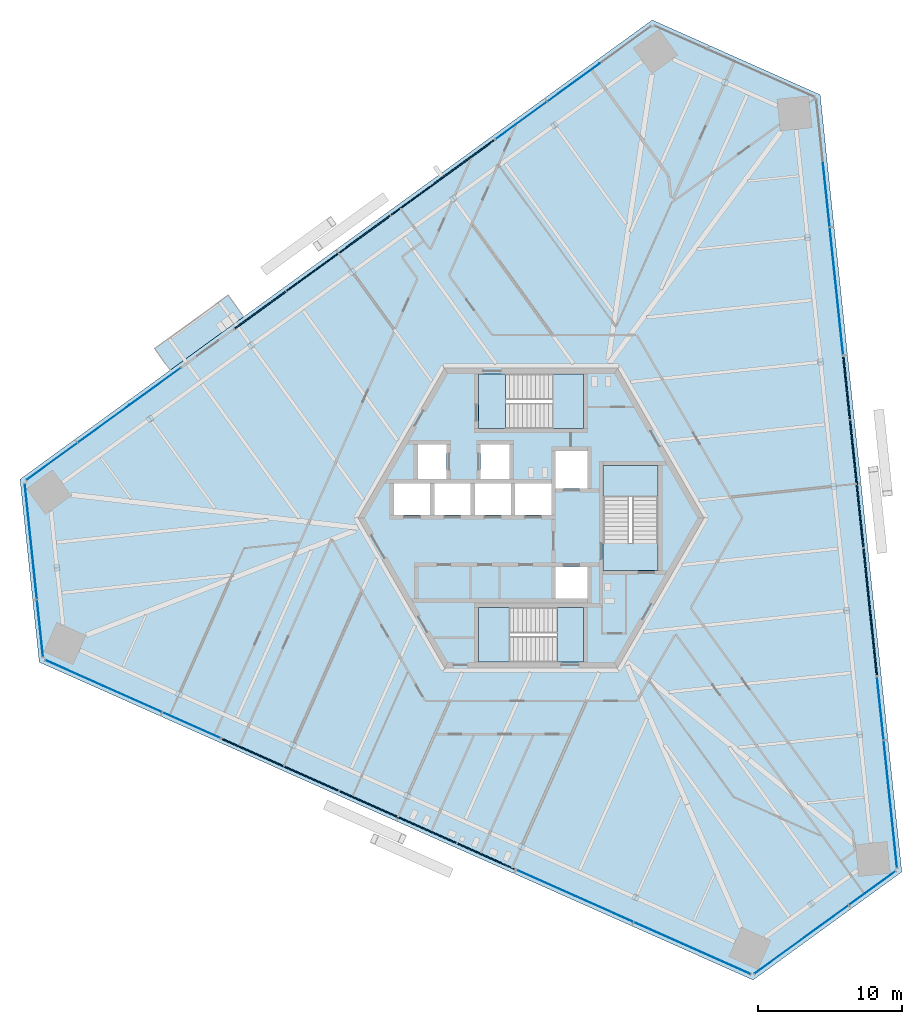
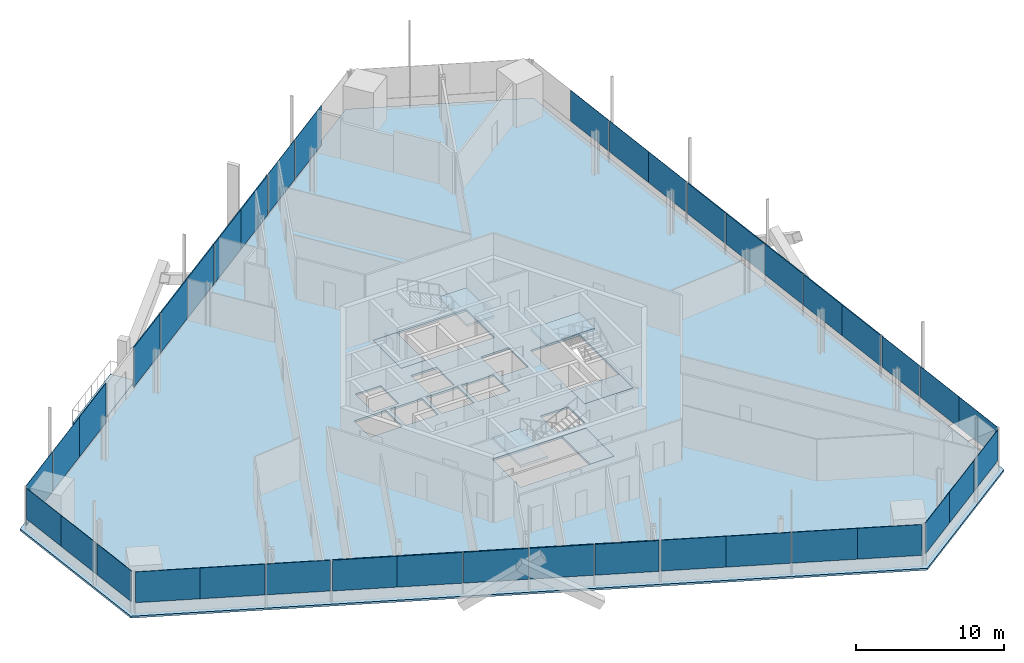
# One storey, part 10 of 21: 39 plates, 8 slabs, 14 elements without a shape of their own.
"""IFC4 building model written with IfcOpenShell, lengths in metres."""

from ifc_helpers import new_model, si_unit, direction, frame, origin, origin_2d, place, context, subcontext, project, spatial, polyline, rectangle, outline, extrude, source, transform, mapped, material, layer, layer_set, type_object, element, aggregate, save


model = new_model("IFC4")

# Units and contexts
model_context = context("Model", 3, precision=1e-05, world=origin(), true_north=direction((0.0, 1.0)))
body_context = subcontext(model_context, "Body", "Model", "MODEL_VIEW")
ifc_project = project(units=[si_unit("LENGTHUNIT", "METRE"), si_unit("AREAUNIT", "SQUARE_METRE"), si_unit("VOLUMEUNIT", "CUBIC_METRE"), si_unit("PLANEANGLEUNIT", "RADIAN"), si_unit("MASSUNIT", "GRAM", prefix="KILO")], contexts=[model_context])

# Site, building, storey
site_placement = place(None, origin())
site = spatial("IfcSite", under=ifc_project, at=site_placement, CompositionType="ELEMENT")
building_placement = place(site_placement, origin())
building = spatial("IfcBuilding", under=site, at=building_placement, Name="Triune Harvest Tower", CompositionType="ELEMENT")
storey_placement = place(building_placement, frame((0.0, 0.0, 72.89990234375)))
storey = spatial("IfcBuildingStorey", under=building, at=storey_placement, Name="L17", CompositionType="ELEMENT", Elevation=72.89990234375)

# Slab
ifc_material_1 = material(Name="Concrete 40 MPa", Category="concrete")
ifc_layer_1 = layer(ifc_material_1, 0.159912109375)
ifc_layer_set_1 = layer_set([ifc_layer_1], Name="Concrete 40 MPa")
slab_type_1 = type_object("IfcSlabType", Name="BA-1 balcony slab 160", PredefinedType="FLOOR", material=ifc_layer_set_1)
slab_1_placement = place(storey_placement, frame((0.0, 0.0, -0.159912109375)))
element("IfcSlab", 1, at=slab_1_placement, inside=storey, type_object=slab_type_1, Name="Balcony slab B2-F3 L17.9", PredefinedType="FLOOR", context=body_context, shape_type="SweptSolid", body=[
    extrude(outline(polyline([(-19.9189453125, 13.954833984375), (-25.01708984375, 10.2509765625), (-26.101318359375, 11.743408203125), (-21.003173828125, 15.447265625), (-19.9189453125, 13.954833984375)])), origin(), (0.0, 0.0, 1.0), 0.159912109375),
])

# Curtain wall, plate
ifc_material_2 = material(Name="Aluminium bronze anodised", Category="aluminium")
curtain_wall_type_1 = type_object("IfcCurtainWallType", Name="CW-6 Balcony window wall", PredefinedType="NOTDEFINED", material=ifc_material_2)
curtain_wall_1_placement = place(storey_placement, origin())
curtain_wall_1 = element("IfcCurtainWall", 2, at=curtain_wall_1_placement, inside=storey, type_object=curtain_wall_type_1, Name="CW-6 B2-F3 L17 run 1")
ifc_material_3 = material(Name="Glass", Category="glass")
ifc_layer_2 = layer(ifc_material_3, 0.030029296875)
ifc_layer_set_2 = layer_set([ifc_layer_2], Name="Glass")
plate_type_1 = type_object("IfcPlateType", Name="GL-6 panel 30", PredefinedType="CURTAIN_PANEL", material=ifc_layer_set_2)
plate_1_placement = place(storey_placement, frame((-0.675048828125, 27.5654296875, 0.150146484375), z_axis=(0.0, 0.0, 1.0), x_axis=(-0.809017285622, -0.587784851425, 0.0)))
plate_1 = element("IfcPlate", 3, at=plate_1_placement, type_object=plate_type_1, Name="CW-6 panel B2-F3 1.3", PredefinedType="CURTAIN_PANEL", context=body_context, shape_type="SweptSolid", body=[
    extrude(rectangle(XDim=4.36181640625, YDim=0.030029296875, at=origin_2d()), origin(), (0.0, 0.0, 1.0), 3.2900390625),
])

ifc_material_4 = material(Name="Aluminium bronze anodised", Category="aluminium")
curtain_wall_type_2 = type_object("IfcCurtainWallType", Name="CW-10 Balcony window wall with insulated spandrel infill", PredefinedType="NOTDEFINED", material=ifc_material_4)
curtain_wall_2_placement = place(storey_placement, origin())
curtain_wall_2 = element("IfcCurtainWall", 4, at=curtain_wall_2_placement, inside=storey, type_object=curtain_wall_type_2, Name="CW-10 B2-F3 L17 run 1001")
ifc_material_5 = material(Name="Insulated spandrel panel, bronze aluminium pan", Category="aluminium")
ifc_layer_3 = layer(ifc_material_5, 0.080078125)
ifc_layer_set_3 = layer_set([ifc_layer_3], Name="Insulated spandrel panel, bronze aluminium pan")
plate_type_2 = type_object("IfcPlateType", Name="SP-1 insulated spandrel panel 80", PredefinedType="CURTAIN_PANEL", material=ifc_layer_set_3)
plate_2_placement = place(storey_placement, frame((-18.774169921875, 14.415771484375, 0.150146484375), z_axis=(0.0, 0.0, 1.0), x_axis=(-0.809016850136, -0.58778545082, 0.0)))
plate_2 = element("IfcPlate", 5, at=plate_2_placement, type_object=plate_type_2, Name="CW-10 panel B2-F3 1001.5", PredefinedType="CURTAIN_PANEL", context=body_context, shape_type="SweptSolid", body=[
    extrude(rectangle(XDim=4.36181640625, YDim=0.080078125, at=origin_2d()), origin(), (0.0, 0.0, 1.0), 3.2900390625),
])

# Slab
ifc_material_6 = material(Name="Concrete 40 MPa", Category="concrete")
ifc_layer_4 = layer(ifc_material_6, 0.159912109375)
ifc_layer_set_4 = layer_set([ifc_layer_4], Name="Concrete 40 MPa")
slab_type_2 = type_object("IfcSlabType", Name="SL-1 Composite floor slab 160", PredefinedType="FLOOR", material=ifc_layer_set_4)
shared_shape_1 = source(origin(), body_context, "Body", "SweptSolid", [
    extrude(outline(polyline([(25.703125, -24.534423828125), (20.04052734375, 29.34228515625), (8.395751953125, 34.526611328125), (-35.431396484375, 2.6845703125), (-34.098876953125, -9.992431640625), (15.390869140625, -32.026611328125), (25.703125, -24.534423828125)]), holes=[polyline([(-7.0, 0.2099609375), (-7.0, 2.409912109375), (-9.5, 2.409912109375), (-9.5, 0.2099609375), (-7.0, 0.2099609375)]), polyline([(-4.199951171875, 0.2099609375), (-4.199951171875, 2.409912109375), (-6.699951171875, 2.409912109375), (-6.699951171875, 0.2099609375), (-4.199951171875, 0.2099609375)]), polyline([(-1.39990234375, 0.2099609375), (-1.39990234375, 2.409912109375), (-3.89990234375, 2.409912109375), (-3.89990234375, 0.2099609375), (-1.39990234375, 0.2099609375)]), polyline([(1.39990234375, 0.2099609375), (1.39990234375, 2.409912109375), (-1.10009765625, 2.409912109375), (-1.10009765625, 0.2099609375), (1.39990234375, 0.2099609375)]), polyline([(3.89990234375, 2.06005859375), (3.89990234375, 4.659912109375), (1.699951171875, 4.659912109375), (1.699951171875, 2.06005859375), (3.89990234375, 2.06005859375)]), polyline([(3.89990234375, -5.590087890625), (3.89990234375, -3.389892578125), (1.699951171875, -3.389892578125), (1.699951171875, -5.590087890625), (3.89990234375, -5.590087890625)]), polyline([(-5.85009765625, 2.7099609375), (-5.85009765625, 5.110107421875), (-7.85009765625, 5.110107421875), (-7.85009765625, 2.7099609375), (-5.85009765625, 2.7099609375)]), polyline([(-1.5, 2.7099609375), (-1.5, 5.110107421875), (-3.5, 5.110107421875), (-3.5, 2.7099609375), (-1.5, 2.7099609375)]), polyline([(3.64990234375, 6.18994140625), (3.64990234375, 9.989990234375), (-3.64990234375, 9.989990234375), (-3.64990234375, 6.18994140625), (3.64990234375, 6.18994140625)]), polyline([(3.64990234375, -9.989990234375), (3.64990234375, -6.18994140625), (-3.64990234375, -6.18994140625), (-3.64990234375, -9.989990234375), (3.64990234375, -9.989990234375)]), polyline([(8.800048828125, -3.64990234375), (8.800048828125, 3.64990234375), (5.0, 3.64990234375), (5.0, -3.64990234375), (8.800048828125, -3.64990234375)])]), origin(), (0.0, 0.0, 1.0), 0.159912109375),
])
slab_2_placement = place(storey_placement, frame((0.0, 0.0, -0.159912109375)))
element("IfcSlab", 6, at=slab_2_placement, inside=storey, type_object=slab_type_2, Name="slab/L17/1", PredefinedType="FLOOR", context=body_context, shape_type="MappedRepresentation", body=[
    mapped(shared_shape_1, transform((0.0, 0.0, 0.0), scale=1.0)),
])

# Stair, slabs
ifc_material_7 = material(Name="Concrete 40 MPa", Category="concrete")
stair_type = type_object("IfcStairType", Name="Exit stair 1800 half turn", PredefinedType="HALF_TURN_STAIR", material=ifc_material_7)
stair_1_placement = place(storey_placement, origin())
stair_1 = element("IfcStair", 7, at=stair_1_placement, inside=storey, type_object=stair_type, Name="Exit stair north", PredefinedType="HALF_TURN_STAIR")
ifc_material_8 = material(Name="Concrete 40 MPa", Category="concrete")
ifc_layer_5 = layer(ifc_material_8, 0.199951171875)
ifc_layer_set_5 = layer_set([ifc_layer_5], Name="Concrete 40 MPa")
slab_type_3 = type_object("IfcSlabType", Name="Stair landing 200", PredefinedType="LANDING", material=ifc_layer_set_5)
shared_shape_2 = source(origin(), body_context, "Body", "SweptSolid", [
    extrude(outline(polyline([(1.510009765625, 6.18994140625), (3.64990234375, 6.18994140625), (3.64990234375, 9.989990234375), (1.510009765625, 9.989990234375), (1.510009765625, 6.18994140625)])), origin(), (0.0, 0.0, 1.0), 0.199951171875),
])
slab_3_placement = place(storey_placement, frame((0.0, 0.0, 1.60009765625)))
slab_3 = element("IfcSlab", 8, at=slab_3_placement, type_object=slab_type_3, Name="ST-1 landing 2", PredefinedType="LANDING", context=body_context, shape_type="MappedRepresentation", body=[
    mapped(shared_shape_2, transform((0.0, 0.0, 0.0), scale=1.0)),
])
shared_shape_3 = source(origin(), body_context, "Body", "SweptSolid", [
    extrude(outline(polyline([(-3.64990234375, 6.18994140625), (-1.780029296875, 6.18994140625), (-1.780029296875, 9.989990234375), (-3.64990234375, 9.989990234375), (-3.64990234375, 6.18994140625)])), origin(), (0.0, 0.0, 1.0), 0.199951171875),
])
slab_4_placement = place(storey_placement, frame((0.0, 0.0, -0.199951171875)))
slab_4 = element("IfcSlab", 9, at=slab_4_placement, type_object=slab_type_3, Name="ST-1 landing 1", PredefinedType="LANDING", context=body_context, shape_type="MappedRepresentation", body=[
    mapped(shared_shape_3, transform((0.0, 0.0, 0.0), scale=1.0)),
])
aggregate(stair_1, [slab_4, slab_3])

stair_2_placement = place(storey_placement, origin())
stair_2 = element("IfcStair", 10, at=stair_2_placement, inside=storey, type_object=stair_type, Name="Exit stair south", PredefinedType="HALF_TURN_STAIR")
shared_shape_4 = source(origin(), body_context, "Body", "SweptSolid", [
    extrude(outline(polyline([(-1.510009765625, -6.18994140625), (-3.64990234375, -6.18994140625), (-3.64990234375, -9.989990234375), (-1.510009765625, -9.989990234375), (-1.510009765625, -6.18994140625)])), origin(), (0.0, 0.0, 1.0), 0.199951171875),
])
slab_5_placement = place(storey_placement, frame((0.0, 0.0, 1.60009765625)))
slab_5 = element("IfcSlab", 11, at=slab_5_placement, type_object=slab_type_3, Name="ST-2 landing 2", PredefinedType="LANDING", context=body_context, shape_type="MappedRepresentation", body=[
    mapped(shared_shape_4, transform((0.0, 0.0, 0.0), scale=1.0)),
])
shared_shape_5 = source(origin(), body_context, "Body", "SweptSolid", [
    extrude(outline(polyline([(3.64990234375, -6.18994140625), (1.780029296875, -6.18994140625), (1.780029296875, -9.989990234375), (3.64990234375, -9.989990234375), (3.64990234375, -6.18994140625)])), origin(), (0.0, 0.0, 1.0), 0.199951171875),
])
slab_6_placement = place(storey_placement, frame((0.0, 0.0, -0.199951171875)))
slab_6 = element("IfcSlab", 12, at=slab_6_placement, type_object=slab_type_3, Name="ST-2 landing 1", PredefinedType="LANDING", context=body_context, shape_type="MappedRepresentation", body=[
    mapped(shared_shape_5, transform((0.0, 0.0, 0.0), scale=1.0)),
])
aggregate(stair_2, [slab_6, slab_5])

stair_3_placement = place(storey_placement, origin())
stair_3 = element("IfcStair", 13, at=stair_3_placement, inside=storey, type_object=stair_type, Name="Exit stair east", PredefinedType="HALF_TURN_STAIR")
shared_shape_6 = source(origin(), body_context, "Body", "SweptSolid", [
    extrude(outline(polyline([(8.800048828125, 1.510009765625), (8.800048828125, 3.64990234375), (5.0, 3.64990234375), (5.0, 1.510009765625), (8.800048828125, 1.510009765625)])), origin(), (0.0, 0.0, 1.0), 0.199951171875),
])
slab_7_placement = place(storey_placement, frame((0.0, 0.0, 1.60009765625)))
slab_7 = element("IfcSlab", 14, at=slab_7_placement, type_object=slab_type_3, Name="ST-3 landing 2", PredefinedType="LANDING", context=body_context, shape_type="MappedRepresentation", body=[
    mapped(shared_shape_6, transform((0.0, 0.0, 0.0), scale=1.0)),
])
shared_shape_7 = source(origin(), body_context, "Body", "SweptSolid", [
    extrude(outline(polyline([(8.800048828125, -3.64990234375), (8.800048828125, -1.780029296875), (5.0, -1.780029296875), (5.0, -3.64990234375), (8.800048828125, -3.64990234375)])), origin(), (0.0, 0.0, 1.0), 0.199951171875),
])
slab_8_placement = place(storey_placement, frame((0.0, 0.0, -0.199951171875)))
slab_8 = element("IfcSlab", 15, at=slab_8_placement, type_object=slab_type_3, Name="ST-3 landing 1", PredefinedType="LANDING", context=body_context, shape_type="MappedRepresentation", body=[
    mapped(shared_shape_7, transform((0.0, 0.0, 0.0), scale=1.0)),
])
aggregate(stair_3, [slab_8, slab_7])

# Curtain wall, plates
ifc_material_9 = material(Name="Aluminium bronze anodised", Category="aluminium")
curtain_wall_type_3 = type_object("IfcCurtainWallType", Name="CW-1 Tower stick curtain wall", PredefinedType="NOTDEFINED", material=ifc_material_9)
curtain_wall_3_placement = place(storey_placement, origin())
curtain_wall_3 = element("IfcCurtainWall", 16, at=curtain_wall_3_placement, inside=storey, type_object=curtain_wall_type_3, Name="CW-1 B2-F4 L17 run 1")
ifc_material_10 = material(Name="Glass", Category="glass")
ifc_layer_6 = layer(ifc_material_10, 0.031982421875)
ifc_layer_set_6 = layer_set([ifc_layer_6], Name="Glass")
plate_type_3 = type_object("IfcPlateType", Name="GL-1 panel 32", PredefinedType="CURTAIN_PANEL", material=ifc_layer_set_6)
shared_shape_8 = source(origin(), body_context, "Body", "SweptSolid", [
    extrude(rectangle(XDim=3.99853515625, YDim=0.031982421875, at=origin_2d()), origin(), (0.0, 0.0, 1.0), 2.5400390625),
])
plate_3_placement = place(storey_placement, frame((-34.888671875, 0.39111328125, 0.900146484375), z_axis=(0.0, 0.0, 1.0), x_axis=(0.104529462601, -0.994521790334, 0.0)))
plate_3 = element("IfcPlate", 17, at=plate_3_placement, type_object=plate_type_3, Name="CW-1 panel B2-F4 1.1", PredefinedType="CURTAIN_PANEL", context=body_context, shape_type="MappedRepresentation", body=[
    mapped(shared_shape_8, transform((0.0, 0.0, 0.0), scale=1.0)),
])
shared_shape_9 = source(origin(), body_context, "Body", "SweptSolid", [
    extrude(rectangle(XDim=4.035888671875, YDim=0.031982421875, at=origin_2d()), origin(), (0.0, 0.0, 1.0), 2.5400390625),
])
plate_4_placement = place(storey_placement, frame((-34.46875, -3.60400390625, 0.900146484375), z_axis=(0.0, 0.0, 1.0), x_axis=(0.104529462601, -0.994521790334, 0.0)))
plate_4 = element("IfcPlate", 18, at=plate_4_placement, type_object=plate_type_3, Name="CW-1 panel B2-F4 1.2", PredefinedType="CURTAIN_PANEL", context=body_context, shape_type="MappedRepresentation", body=[
    mapped(shared_shape_9, transform((0.0, 0.0, 0.0), scale=1.0)),
])

# Curtain wall, plate
curtain_wall_4_placement = place(storey_placement, origin())
curtain_wall_4 = element("IfcCurtainWall", 19, at=curtain_wall_4_placement, inside=storey, type_object=curtain_wall_type_3, Name="CW-1 B2-F6 L17 run 1")
plate_5_placement = place(storey_placement, frame((20.35546875, -28.048828125, 0.900146484375), z_axis=(0.0, 0.0, 1.0), x_axis=(0.809013235692, 0.58779042564, 0.0)))
plate_5 = element("IfcPlate", 20, at=plate_5_placement, type_object=plate_type_3, Name="CW-1 panel B2-F6 1.2", PredefinedType="CURTAIN_PANEL", context=body_context, shape_type="MappedRepresentation", body=[
    mapped(shared_shape_9, transform((0.0, 0.0, 0.0), scale=1.0)),
])

# Plate
shared_shape_10 = source(origin(), body_context, "Body", "SweptSolid", [
    extrude(rectangle(XDim=3.9609375, YDim=0.031982421875, at=origin_2d()), origin(), (0.0, 0.0, 1.0), 2.5400390625),
])
plate_6_placement = place(storey_placement, frame((-34.04296875, -7.655029296875, 0.900146484375), z_axis=(0.0, 0.0, 1.0), x_axis=(0.104529462601, -0.994521790334, 0.0)))
plate_6 = element("IfcPlate", 21, at=plate_6_placement, type_object=plate_type_3, Name="CW-1 panel B2-F4 1.3", PredefinedType="CURTAIN_PANEL", context=body_context, shape_type="MappedRepresentation", body=[
    mapped(shared_shape_10, transform((0.0, 0.0, 0.0), scale=1.0)),
])

aggregate(curtain_wall_3, [plate_3, plate_4, plate_6])

plate_7_placement = place(storey_placement, frame((23.65087890625, -25.654541015625, 0.900146484375), z_axis=(0.0, 0.0, 1.0), x_axis=(0.809013235692, 0.58779042564, 0.0)))
plate_7 = element("IfcPlate", 22, at=plate_7_placement, type_object=plate_type_3, Name="CW-1 panel B2-F6 1.3", PredefinedType="CURTAIN_PANEL", context=body_context, shape_type="MappedRepresentation", body=[
    mapped(shared_shape_10, transform((0.0, 0.0, 0.0), scale=1.0)),
])

shared_shape_11 = source(origin(), body_context, "Body", "SweptSolid", [
    extrude(rectangle(XDim=3.998291015625, YDim=0.031982421875, at=origin_2d()), origin(), (0.0, 0.0, 1.0), 2.5400390625),
])
plate_8_placement = place(storey_placement, frame((17.10546875, -30.41015625, 0.900146484375), z_axis=(0.0, 0.0, 1.0), x_axis=(0.809013235692, 0.58779042564, 0.0)))
plate_8 = element("IfcPlate", 23, at=plate_8_placement, type_object=plate_type_3, Name="CW-1 panel B2-F6 1.1", PredefinedType="CURTAIN_PANEL", context=body_context, shape_type="MappedRepresentation", body=[
    mapped(shared_shape_11, transform((0.0, 0.0, 0.0), scale=1.0)),
])

aggregate(curtain_wall_4, [plate_8, plate_5, plate_7])

shared_shape_12 = source(origin(), body_context, "Body", "SweptSolid", [
    extrude(rectangle(XDim=4.436767578125, YDim=0.030029296875, at=origin_2d()), origin(), (0.0, 0.0, 1.0), 3.2900390625),
])
plate_9_placement = place(storey_placement, frame((2.944580078125, 30.1953125, 0.150146484375), z_axis=(0.0, 0.0, 1.0), x_axis=(-0.809017285622, -0.587784851425, 0.0)))
plate_9 = element("IfcPlate", 24, at=plate_9_placement, type_object=plate_type_1, Name="CW-6 panel B2-F3 1.2", PredefinedType="CURTAIN_PANEL", context=body_context, shape_type="MappedRepresentation", body=[
    mapped(shared_shape_12, transform((0.0, 0.0, 0.0), scale=1.0)),
])

aggregate(curtain_wall_1, [plate_9, plate_1])

# Curtain wall, plate
ifc_material_11 = material(Name="Aluminium bronze anodised", Category="aluminium")
curtain_wall_type_4 = type_object("IfcCurtainWallType", Name="CW-7 Tower stick curtain wall with insulated spandrel infill", PredefinedType="NOTDEFINED", material=ifc_material_11)
curtain_wall_5_placement = place(storey_placement, origin())
curtain_wall_5 = element("IfcCurtainWall", 25, at=curtain_wall_5_placement, inside=storey, type_object=curtain_wall_type_4, Name="CW-7 B2-F1 L17 run 1001")
shared_shape_13 = source(origin(), body_context, "Body", "SweptSolid", [
    extrude(rectangle(XDim=4.3955078125, YDim=0.080078125, at=origin_2d()), origin(), (0.0, 0.0, 1.0), 2.5400390625),
])
plate_10_placement = place(storey_placement, frame((23.73779296875, -8.705322265625, 0.900146484375), z_axis=(0.0, 0.0, 1.0), x_axis=(-0.10452805656, 0.994521938115, 0.0)))
plate_10 = element("IfcPlate", 26, at=plate_10_placement, type_object=plate_type_2, Name="CW-7 panel B2-F1 1001.1", PredefinedType="CURTAIN_PANEL", context=body_context, shape_type="MappedRepresentation", body=[
    mapped(shared_shape_13, transform((0.0, 0.0, 0.0), scale=1.0)),
])

curtain_wall_6_placement = place(storey_placement, origin())
curtain_wall_6 = element("IfcCurtainWall", 27, at=curtain_wall_6_placement, inside=storey, type_object=curtain_wall_type_4, Name="CW-7 B2-F5 L17 run 1001")
plate_11_placement = place(storey_placement, frame((-19.407958984375, -16.204833984375, 0.900146484375), z_axis=(0.0, 0.0, 1.0), x_axis=(0.91354625298, -0.406734856715, 0.0)))
plate_11 = element("IfcPlate", 28, at=plate_11_placement, type_object=plate_type_2, Name="CW-7 panel B2-F5 1001.1", PredefinedType="CURTAIN_PANEL", context=body_context, shape_type="MappedRepresentation", body=[
    mapped(shared_shape_13, transform((0.0, 0.0, 0.0), scale=1.0)),
])

# Plate
shared_shape_14 = source(origin(), body_context, "Body", "SweptSolid", [
    extrude(rectangle(XDim=4.43310546875, YDim=0.080078125, at=origin_2d()), origin(), (0.0, 0.0, 1.0), 2.5400390625),
])
plate_12_placement = place(storey_placement, frame((23.2763671875, -4.315185546875, 0.900146484375), z_axis=(0.0, 0.0, 1.0), x_axis=(-0.10452805656, 0.994521938115, 0.0)))
plate_12 = element("IfcPlate", 29, at=plate_12_placement, type_object=plate_type_2, Name="CW-7 panel B2-F1 1001.2", PredefinedType="CURTAIN_PANEL", context=body_context, shape_type="MappedRepresentation", body=[
    mapped(shared_shape_14, transform((0.0, 0.0, 0.0), scale=1.0)),
])

plate_13_placement = place(storey_placement, frame((22.80517578125, 0.168212890625, 0.900146484375), z_axis=(0.0, 0.0, 1.0), x_axis=(-0.10452805656, 0.994521938115, 0.0)))
plate_13 = element("IfcPlate", 30, at=plate_13_placement, type_object=plate_type_2, Name="CW-7 panel B2-F1 1001.3", PredefinedType="CURTAIN_PANEL", context=body_context, shape_type="MappedRepresentation", body=[
    mapped(shared_shape_14, transform((0.0, 0.0, 0.0), scale=1.0)),
])

plate_14_placement = place(storey_placement, frame((22.341796875, 4.576904296875, 0.900146484375), z_axis=(0.0, 0.0, 1.0), x_axis=(-0.10452805656, 0.994521938115, 0.0)))
plate_14 = element("IfcPlate", 31, at=plate_14_placement, type_object=plate_type_2, Name="CW-7 panel B2-F1 1001.4", PredefinedType="CURTAIN_PANEL", context=body_context, shape_type="MappedRepresentation", body=[
    mapped(shared_shape_14, transform((0.0, 0.0, 0.0), scale=1.0)),
])

plate_15_placement = place(storey_placement, frame((-15.375244140625, -18.00048828125, 0.900146484375), z_axis=(0.0, 0.0, 1.0), x_axis=(0.91354625298, -0.406734856715, 0.0)))
plate_15 = element("IfcPlate", 32, at=plate_15_placement, type_object=plate_type_2, Name="CW-7 panel B2-F5 1001.2", PredefinedType="CURTAIN_PANEL", context=body_context, shape_type="MappedRepresentation", body=[
    mapped(shared_shape_14, transform((0.0, 0.0, 0.0), scale=1.0)),
])

plate_16_placement = place(storey_placement, frame((-11.2568359375, -19.833984375, 0.900146484375), z_axis=(0.0, 0.0, 1.0), x_axis=(0.91354625298, -0.406734856715, 0.0)))
plate_16 = element("IfcPlate", 33, at=plate_16_placement, type_object=plate_type_2, Name="CW-7 panel B2-F5 1001.3", PredefinedType="CURTAIN_PANEL", context=body_context, shape_type="MappedRepresentation", body=[
    mapped(shared_shape_14, transform((0.0, 0.0, 0.0), scale=1.0)),
])

plate_17_placement = place(storey_placement, frame((-7.20703125, -21.636962890625, 0.900146484375), z_axis=(0.0, 0.0, 1.0), x_axis=(0.91354625298, -0.406734856715, 0.0)))
plate_17 = element("IfcPlate", 34, at=plate_17_placement, type_object=plate_type_2, Name="CW-7 panel B2-F5 1001.4", PredefinedType="CURTAIN_PANEL", context=body_context, shape_type="MappedRepresentation", body=[
    mapped(shared_shape_14, transform((0.0, 0.0, 0.0), scale=1.0)),
])

# Curtain wall, plate
curtain_wall_7_placement = place(storey_placement, origin())
curtain_wall_7 = element("IfcCurtainWall", 35, at=curtain_wall_7_placement, inside=storey, type_object=curtain_wall_type_3, Name="CW-1 B2-F1 L17 run 1")
shared_shape_15 = source(origin(), body_context, "Body", "SweptSolid", [
    extrude(rectangle(XDim=4.3955078125, YDim=0.031982421875, at=origin_2d()), origin(), (0.0, 0.0, 1.0), 2.5400390625),
])
plate_18_placement = place(storey_placement, frame((25.1396484375, -22.043701171875, 0.900146484375), z_axis=(0.0, 0.0, 1.0), x_axis=(-0.104527094094, 0.994522039273, 0.0)))
plate_18 = element("IfcPlate", 36, at=plate_18_placement, type_object=plate_type_3, Name="CW-1 panel B2-F1 1.1", PredefinedType="CURTAIN_PANEL", context=body_context, shape_type="MappedRepresentation", body=[
    mapped(shared_shape_15, transform((0.0, 0.0, 0.0), scale=1.0)),
])

curtain_wall_8_placement = place(storey_placement, origin())
curtain_wall_8 = element("IfcCurtainWall", 37, at=curtain_wall_8_placement, inside=storey, type_object=curtain_wall_type_3, Name="CW-1 B2-F1 L17 run 2001")
plate_19_placement = place(storey_placement, frame((21.401123046875, 13.525146484375, 0.900146484375), z_axis=(0.0, 0.0, 1.0), x_axis=(-0.104527218444, 0.994522026204, 0.0)))
plate_19 = element("IfcPlate", 38, at=plate_19_placement, type_object=plate_type_3, Name="CW-1 panel B2-F1 2001.1", PredefinedType="CURTAIN_PANEL", context=body_context, shape_type="MappedRepresentation", body=[
    mapped(shared_shape_15, transform((0.0, 0.0, 0.0), scale=1.0)),
])

curtain_wall_9_placement = place(storey_placement, origin())
curtain_wall_9 = element("IfcCurtainWall", 39, at=curtain_wall_9_placement, inside=storey, type_object=curtain_wall_type_3, Name="CW-1 B2-F5 L17 run 1")
plate_20_placement = place(storey_placement, frame((-31.66015625, -10.749755859375, 0.900146484375), z_axis=(0.0, 0.0, 1.0), x_axis=(0.913543483834, -0.406741076293, 0.0)))
plate_20 = element("IfcPlate", 40, at=plate_20_placement, type_object=plate_type_3, Name="CW-1 panel B2-F5 1.1", PredefinedType="CURTAIN_PANEL", context=body_context, shape_type="MappedRepresentation", body=[
    mapped(shared_shape_15, transform((0.0, 0.0, 0.0), scale=1.0)),
])

# Curtain wall, plates
curtain_wall_10_placement = place(storey_placement, origin())
curtain_wall_10 = element("IfcCurtainWall", 41, at=curtain_wall_10_placement, inside=storey, type_object=curtain_wall_type_3, Name="CW-1 B2-F5 L17 run 2001")
plate_21_placement = place(storey_placement, frame((1.012451171875, -25.296630859375, 0.900146484375), z_axis=(0.0, 0.0, 1.0), x_axis=(0.913545192307, -0.406737239029, 0.0)))
plate_21 = element("IfcPlate", 42, at=plate_21_placement, type_object=plate_type_3, Name="CW-1 panel B2-F5 2001.1", PredefinedType="CURTAIN_PANEL", context=body_context, shape_type="MappedRepresentation", body=[
    mapped(shared_shape_15, transform((0.0, 0.0, 0.0), scale=1.0)),
])
plate_22_placement = place(storey_placement, frame((13.1962890625, -30.72119140625, 0.900146484375), z_axis=(0.0, 0.0, 1.0), x_axis=(0.913545192307, -0.406737239029, 0.0)))
plate_22 = element("IfcPlate", 43, at=plate_22_placement, type_object=plate_type_3, Name="CW-1 panel B2-F5 2001.4", PredefinedType="CURTAIN_PANEL", context=body_context, shape_type="MappedRepresentation", body=[
    mapped(shared_shape_15, transform((0.0, 0.0, 0.0), scale=1.0)),
])

# Plate
shared_shape_16 = source(origin(), body_context, "Body", "SweptSolid", [
    extrude(rectangle(XDim=4.43310546875, YDim=0.031982421875, at=origin_2d()), origin(), (0.0, 0.0, 1.0), 2.5400390625),
])
plate_23_placement = place(storey_placement, frame((24.67822265625, -17.653564453125, 0.900146484375), z_axis=(0.0, 0.0, 1.0), x_axis=(-0.104527094094, 0.994522039273, 0.0)))
plate_23 = element("IfcPlate", 44, at=plate_23_placement, type_object=plate_type_3, Name="CW-1 panel B2-F1 1.2", PredefinedType="CURTAIN_PANEL", context=body_context, shape_type="MappedRepresentation", body=[
    mapped(shared_shape_16, transform((0.0, 0.0, 0.0), scale=1.0)),
])

plate_24_placement = place(storey_placement, frame((20.939697265625, 17.915283203125, 0.900146484375), z_axis=(0.0, 0.0, 1.0), x_axis=(-0.104527218444, 0.994522026204, 0.0)))
plate_24 = element("IfcPlate", 45, at=plate_24_placement, type_object=plate_type_3, Name="CW-1 panel B2-F1 2001.2", PredefinedType="CURTAIN_PANEL", context=body_context, shape_type="MappedRepresentation", body=[
    mapped(shared_shape_16, transform((0.0, 0.0, 0.0), scale=1.0)),
])

plate_25_placement = place(storey_placement, frame((20.468505859375, 22.398681640625, 0.900146484375), z_axis=(0.0, 0.0, 1.0), x_axis=(-0.104527218444, 0.994522026204, 0.0)))
plate_25 = element("IfcPlate", 46, at=plate_25_placement, type_object=plate_type_3, Name="CW-1 panel B2-F1 2001.3", PredefinedType="CURTAIN_PANEL", context=body_context, shape_type="MappedRepresentation", body=[
    mapped(shared_shape_16, transform((0.0, 0.0, 0.0), scale=1.0)),
])

aggregate(curtain_wall_8, [plate_19, plate_24, plate_25])

plate_26_placement = place(storey_placement, frame((-27.62744140625, -12.54541015625, 0.900146484375), z_axis=(0.0, 0.0, 1.0), x_axis=(0.913543483834, -0.406741076293, 0.0)))
plate_26 = element("IfcPlate", 47, at=plate_26_placement, type_object=plate_type_3, Name="CW-1 panel B2-F5 1.2", PredefinedType="CURTAIN_PANEL", context=body_context, shape_type="MappedRepresentation", body=[
    mapped(shared_shape_16, transform((0.0, 0.0, 0.0), scale=1.0)),
])

plate_27_placement = place(storey_placement, frame((5.045166015625, -27.092041015625, 0.900146484375), z_axis=(0.0, 0.0, 1.0), x_axis=(0.913545192307, -0.406737239029, 0.0)))
plate_27 = element("IfcPlate", 48, at=plate_27_placement, type_object=plate_type_3, Name="CW-1 panel B2-F5 2001.2", PredefinedType="CURTAIN_PANEL", context=body_context, shape_type="MappedRepresentation", body=[
    mapped(shared_shape_16, transform((0.0, 0.0, 0.0), scale=1.0)),
])

plate_28_placement = place(storey_placement, frame((9.16357421875, -28.92578125, 0.900146484375), z_axis=(0.0, 0.0, 1.0), x_axis=(0.913545192307, -0.406737239029, 0.0)))
plate_28 = element("IfcPlate", 49, at=plate_28_placement, type_object=plate_type_3, Name="CW-1 panel B2-F5 2001.3", PredefinedType="CURTAIN_PANEL", context=body_context, shape_type="MappedRepresentation", body=[
    mapped(shared_shape_16, transform((0.0, 0.0, 0.0), scale=1.0)),
])

aggregate(curtain_wall_10, [plate_21, plate_27, plate_28, plate_22])

shared_shape_17 = source(origin(), body_context, "Body", "SweptSolid", [
    extrude(rectangle(XDim=4.358154296875, YDim=0.031982421875, at=origin_2d()), origin(), (0.0, 0.0, 1.0), 2.5400390625),
])
plate_29_placement = place(storey_placement, frame((24.2109375, -13.207275390625, 0.900146484375), z_axis=(0.0, 0.0, 1.0), x_axis=(-0.104527094094, 0.994522039273, 0.0)))
plate_29 = element("IfcPlate", 50, at=plate_29_placement, type_object=plate_type_3, Name="CW-1 panel B2-F1 1.3", PredefinedType="CURTAIN_PANEL", context=body_context, shape_type="MappedRepresentation", body=[
    mapped(shared_shape_17, transform((0.0, 0.0, 0.0), scale=1.0)),
])

aggregate(curtain_wall_7, [plate_18, plate_23, plate_29])

plate_30_placement = place(storey_placement, frame((-23.54345703125, -14.36376953125, 0.900146484375), z_axis=(0.0, 0.0, 1.0), x_axis=(0.913543483834, -0.406741076293, 0.0)))
plate_30 = element("IfcPlate", 51, at=plate_30_placement, type_object=plate_type_3, Name="CW-1 panel B2-F5 1.3", PredefinedType="CURTAIN_PANEL", context=body_context, shape_type="MappedRepresentation", body=[
    mapped(shared_shape_17, transform((0.0, 0.0, 0.0), scale=1.0)),
])

aggregate(curtain_wall_9, [plate_20, plate_26, plate_30])

shared_shape_18 = source(origin(), body_context, "Body", "SweptSolid", [
    extrude(rectangle(XDim=4.358154296875, YDim=0.080078125, at=origin_2d()), origin(), (0.0, 0.0, 1.0), 2.5400390625),
])
plate_31_placement = place(storey_placement, frame((21.87451171875, 9.02294921875, 0.900146484375), z_axis=(0.0, 0.0, 1.0), x_axis=(-0.10452805656, 0.994521938115, 0.0)))
plate_31 = element("IfcPlate", 52, at=plate_31_placement, type_object=plate_type_2, Name="CW-7 panel B2-F1 1001.5", PredefinedType="CURTAIN_PANEL", context=body_context, shape_type="MappedRepresentation", body=[
    mapped(shared_shape_18, transform((0.0, 0.0, 0.0), scale=1.0)),
])

aggregate(curtain_wall_5, [plate_10, plate_12, plate_13, plate_14, plate_31])

plate_32_placement = place(storey_placement, frame((-3.123046875, -23.455322265625, 0.900146484375), z_axis=(0.0, 0.0, 1.0), x_axis=(0.91354625298, -0.406734856715, 0.0)))
plate_32 = element("IfcPlate", 53, at=plate_32_placement, type_object=plate_type_2, Name="CW-7 panel B2-F5 1001.5", PredefinedType="CURTAIN_PANEL", context=body_context, shape_type="MappedRepresentation", body=[
    mapped(shared_shape_18, transform((0.0, 0.0, 0.0), scale=1.0)),
])

aggregate(curtain_wall_6, [plate_11, plate_15, plate_16, plate_17, plate_32])

shared_shape_19 = source(origin(), body_context, "Body", "SweptSolid", [
    extrude(rectangle(XDim=4.3994140625, YDim=0.080078125, at=origin_2d()), origin(), (0.0, 0.0, 1.0), 3.2900390625),
])
plate_33_placement = place(storey_placement, frame((-4.34033203125, 24.902587890625, 0.150146484375), z_axis=(0.0, 0.0, 1.0), x_axis=(-0.809016850136, -0.58778545082, 0.0)))
plate_33 = element("IfcPlate", 54, at=plate_33_placement, type_object=plate_type_2, Name="CW-10 panel B2-F3 1001.1", PredefinedType="CURTAIN_PANEL", context=body_context, shape_type="MappedRepresentation", body=[
    mapped(shared_shape_19, transform((0.0, 0.0, 0.0), scale=1.0)),
])

shared_shape_20 = source(origin(), body_context, "Body", "SweptSolid", [
    extrude(rectangle(XDim=4.436767578125, YDim=0.080078125, at=origin_2d()), origin(), (0.0, 0.0, 1.0), 3.2900390625),
])
plate_34_placement = place(storey_placement, frame((-7.914794921875, 22.3056640625, 0.150146484375), z_axis=(0.0, 0.0, 1.0), x_axis=(-0.809016850136, -0.58778545082, 0.0)))
plate_34 = element("IfcPlate", 55, at=plate_34_placement, type_object=plate_type_2, Name="CW-10 panel B2-F3 1001.2", PredefinedType="CURTAIN_PANEL", context=body_context, shape_type="MappedRepresentation", body=[
    mapped(shared_shape_20, transform((0.0, 0.0, 0.0), scale=1.0)),
])

plate_35_placement = place(storey_placement, frame((-11.56494140625, 19.653564453125, 0.150146484375), z_axis=(0.0, 0.0, 1.0), x_axis=(-0.809016850136, -0.58778545082, 0.0)))
plate_35 = element("IfcPlate", 56, at=plate_35_placement, type_object=plate_type_2, Name="CW-10 panel B2-F3 1001.3", PredefinedType="CURTAIN_PANEL", context=body_context, shape_type="MappedRepresentation", body=[
    mapped(shared_shape_20, transform((0.0, 0.0, 0.0), scale=1.0)),
])

plate_36_placement = place(storey_placement, frame((-15.154296875, 17.045654296875, 0.150146484375), z_axis=(0.0, 0.0, 1.0), x_axis=(-0.809016850136, -0.58778545082, 0.0)))
plate_36 = element("IfcPlate", 57, at=plate_36_placement, type_object=plate_type_2, Name="CW-10 panel B2-F3 1001.4", PredefinedType="CURTAIN_PANEL", context=body_context, shape_type="MappedRepresentation", body=[
    mapped(shared_shape_20, transform((0.0, 0.0, 0.0), scale=1.0)),
])

aggregate(curtain_wall_2, [plate_33, plate_34, plate_35, plate_36, plate_2])

# Curtain wall, plates
curtain_wall_11_placement = place(storey_placement, origin())
curtain_wall_11 = element("IfcCurtainWall", 58, at=curtain_wall_11_placement, inside=storey, type_object=curtain_wall_type_1, Name="CW-6 B2-F3 L17 run 2")
shared_shape_21 = source(origin(), body_context, "Body", "SweptSolid", [
    extrude(rectangle(XDim=4.380615234375, YDim=0.030029296875, at=origin_2d()), origin(), (0.0, 0.0, 1.0), 3.2900390625),
])
plate_37_placement = place(storey_placement, frame((-26.060791015625, 9.121826171875, 0.150146484375), z_axis=(0.0, 0.0, 1.0), x_axis=(-0.809017013446, -0.587785226043, 0.0)))
plate_37 = element("IfcPlate", 59, at=plate_37_placement, type_object=plate_type_1, Name="CW-6 panel B2-F3 2.1", PredefinedType="CURTAIN_PANEL", context=body_context, shape_type="MappedRepresentation", body=[
    mapped(shared_shape_21, transform((0.0, 0.0, 0.0), scale=1.0)),
])
shared_shape_22 = source(origin(), body_context, "Body", "SweptSolid", [
    extrude(rectangle(XDim=4.41796875, YDim=0.030029296875, at=origin_2d()), origin(), (0.0, 0.0, 1.0), 3.2900390625),
])
plate_38_placement = place(storey_placement, frame((-29.619873046875, 6.535888671875, 0.150146484375), z_axis=(0.0, 0.0, 1.0), x_axis=(-0.809017013446, -0.587785226043, 0.0)))
plate_38 = element("IfcPlate", 60, at=plate_38_placement, type_object=plate_type_1, Name="CW-6 panel B2-F3 2.2", PredefinedType="CURTAIN_PANEL", context=body_context, shape_type="MappedRepresentation", body=[
    mapped(shared_shape_22, transform((0.0, 0.0, 0.0), scale=1.0)),
])
shared_shape_23 = source(origin(), body_context, "Body", "SweptSolid", [
    extrude(rectangle(XDim=4.343017578125, YDim=0.030029296875, at=origin_2d()), origin(), (0.0, 0.0, 1.0), 3.2900390625),
])
plate_39_placement = place(storey_placement, frame((-33.224609375, 3.9169921875, 0.150146484375), z_axis=(0.0, 0.0, 1.0), x_axis=(-0.809017013446, -0.587785226043, 0.0)))
plate_39 = element("IfcPlate", 61, at=plate_39_placement, type_object=plate_type_1, Name="CW-6 panel B2-F3 2.3", PredefinedType="CURTAIN_PANEL", context=body_context, shape_type="MappedRepresentation", body=[
    mapped(shared_shape_23, transform((0.0, 0.0, 0.0), scale=1.0)),
])
aggregate(curtain_wall_11, [plate_37, plate_38, plate_39])

save(model, "model.ifc")
